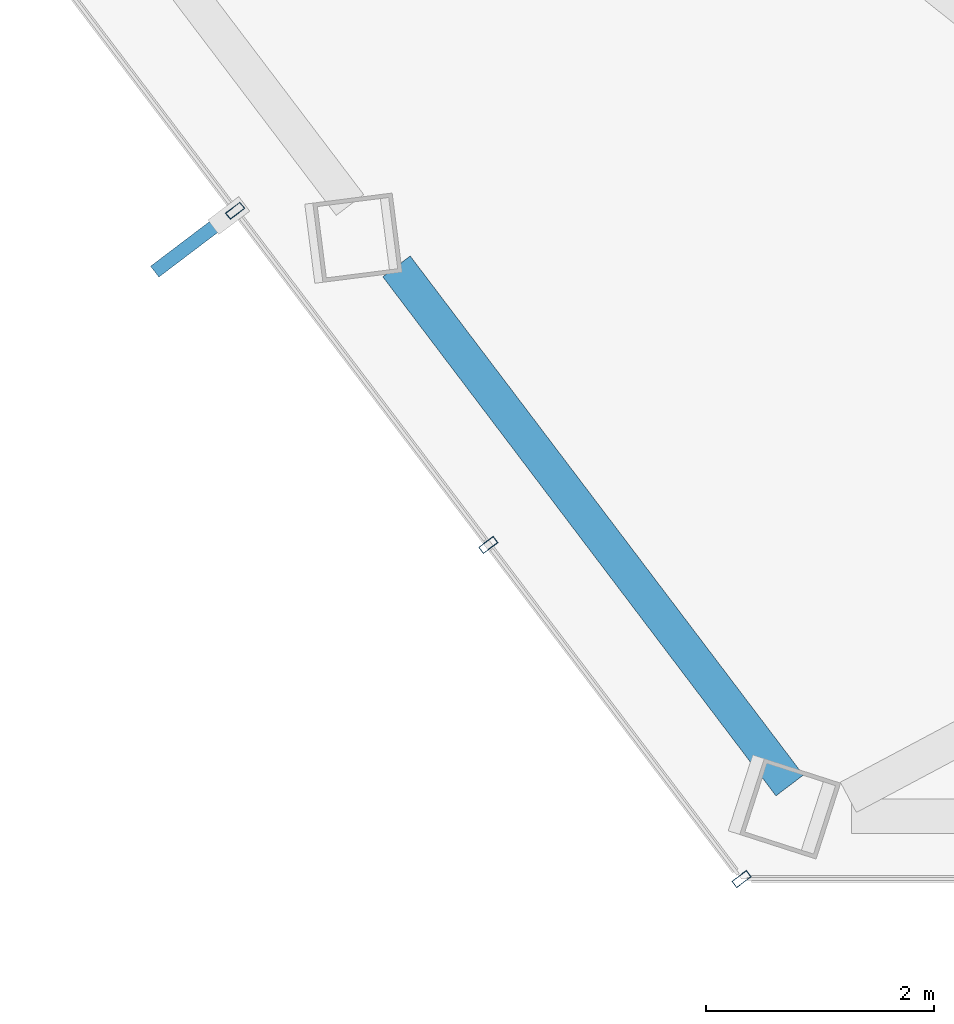
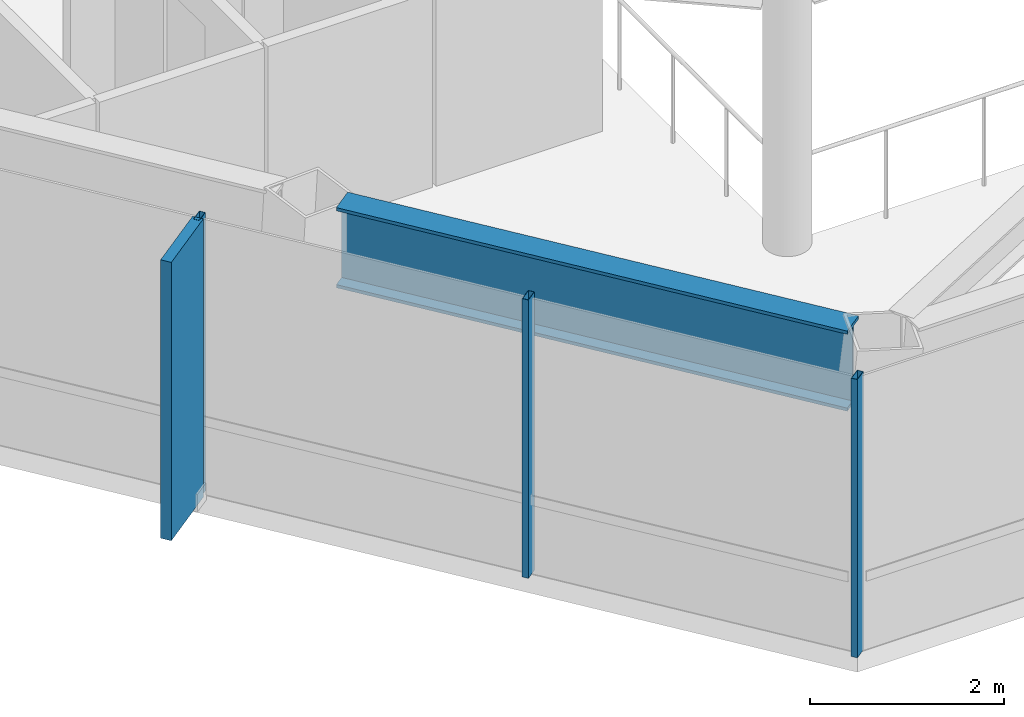
# One storey, part 2 of 27: 4 members, 1 beam, 1 element without a shape of its own.
"""IFC4 building model written with IfcOpenShell, lengths in metres."""

from ifc_helpers import new_model, si_unit, direction, frame, origin, origin_2d, place, context, subcontext, project, spatial, rectangle, hollow_rectangle, i_section, extrude, material, layer, layer_set, material_profile, profile_set, type_object, element, aggregate, save


model = new_model("IFC4")

# Units and contexts
model_context = context("Model", 3, precision=1e-05, world=origin(), true_north=direction((0.0, 1.0)))
body_context = subcontext(model_context, "Body", "Model", "MODEL_VIEW")
ifc_project = project(units=[si_unit("LENGTHUNIT", "METRE"), si_unit("AREAUNIT", "SQUARE_METRE"), si_unit("VOLUMEUNIT", "CUBIC_METRE"), si_unit("PLANEANGLEUNIT", "RADIAN"), si_unit("MASSUNIT", "GRAM", prefix="KILO")], contexts=[model_context])

# Site, building, storey
site_placement = place(None, origin())
site = spatial("IfcSite", under=ifc_project, at=site_placement, CompositionType="ELEMENT")
building_placement = place(site_placement, origin())
building = spatial("IfcBuilding", under=site, at=building_placement, Name="Zarrinselat Tower", CompositionType="ELEMENT")
storey_placement = place(building_placement, frame((0.0, 0.0, 172.0400390625)))
storey = spatial("IfcBuildingStorey", under=building, at=storey_placement, Name="L42", CompositionType="ELEMENT", Elevation=172.0400390625)

# Beam
ifc_material_1 = material(Name="Steel S460M", Category="steel")
ifc_material_profile_1 = material_profile(ifc_material_1, i_section(OverallWidth=0.302001953125, OverallDepth=1.008056640625, WebThickness=0.02099609375, FlangeThickness=0.0400390625, at=origin_2d()), Name="HEM 1000")
ifc_profile_set_1 = profile_set([ifc_material_profile_1], Name="Steel S460M")
beam_type = type_object("IfcBeamType", Name="BM-HEM1000", PredefinedType="BEAM", material=ifc_profile_set_1)
beam_placement = place(storey_placement, frame((27.71142578125, 23.027587890625, 2.995849609375), z_axis=(0.603829707697, -0.797113344577, 0.0), x_axis=(0.797113344577, 0.603829707697, 0.0)))
element("IfcBeam", 1, at=beam_placement, inside=storey, type_object=beam_type, Name="L42 Perimeter Spandrel Girder SP09", PredefinedType="BEAM", context=body_context, shape_type="SweptSolid", body=[
    extrude(i_section(OverallWidth=0.302001953125, OverallDepth=1.008056640625, WebThickness=0.02099609375, FlangeThickness=0.0400390625, at=origin_2d()), origin(), (0.0, 0.0, 1.0), 5.7119140625),
])

# Curtain wall, members
ifc_material_2 = material(Name="Extruded Aluminium Alloy EN AW-6063 T6", Category="aluminium")
ifc_layer = layer(ifc_material_2, 0.175048828125)
ifc_layer_set = layer_set([ifc_layer], Name="Extruded Aluminium Alloy EN AW-6063 T6")
curtain_wall_type = type_object("IfcCurtainWallType", Name="CWS-HTL", PredefinedType="NOTDEFINED", material=ifc_layer_set)
curtain_wall_placement = place(storey_placement, origin())
curtain_wall = element("IfcCurtainWall", 2, at=curtain_wall_placement, inside=storey, type_object=curtain_wall_type, Name="L42 Unitised Curtain Wall CW-L42-E03", PredefinedType="NOTDEFINED")
ifc_material_3 = material(Name="Extruded Aluminium Alloy EN AW-6063 T6", Category="aluminium")
ifc_material_profile_2 = material_profile(ifc_material_3, hollow_rectangle(XDim=0.070068359375, YDim=0.159912109375, WallThickness=0.00390625, at=origin_2d()), Name="RHS 160x70x4")
ifc_profile_set_2 = profile_set([ifc_material_profile_2], Name="Extruded Aluminium Alloy EN AW-6063 T6")
member_type_1 = type_object("IfcMemberType", Name="MEM-CW-MUL2", PredefinedType="MULLION", material=ifc_profile_set_2)
member_1_placement = place(storey_placement, frame((26.29638671875, 23.515380859375, 0.0), z_axis=(0.0, 0.0, 1.0), x_axis=(0.603857987184, -0.797091921496, 0.0)))
member_1 = element("IfcMember", 3, at=member_1_placement, type_object=member_type_1, Name="CW-L42-E03 Mullion 5", PredefinedType="MULLION", context=body_context, shape_type="SweptSolid", body=[
    extrude(hollow_rectangle(XDim=0.070068359375, YDim=0.159912109375, WallThickness=0.00390625, at=origin_2d()), origin(), (0.0, 0.0, 1.0), 3.5),
])
member_2_placement = place(storey_placement, frame((28.51708984375, 20.58447265625, 0.0), z_axis=(0.0, 0.0, 1.0), x_axis=(0.603857987184, -0.797091921496, 0.0)))
member_2 = element("IfcMember", 4, at=member_2_placement, type_object=member_type_1, Name="CW-L42-E03 Mullion 6", PredefinedType="MULLION", context=body_context, shape_type="SweptSolid", body=[
    extrude(hollow_rectangle(XDim=0.070068359375, YDim=0.159912109375, WallThickness=0.00390625, at=origin_2d()), origin(), (0.0, 0.0, 1.0), 3.5),
])
member_3_placement = place(storey_placement, frame((30.737548828125, 17.6533203125, 0.0), z_axis=(0.0, 0.0, 1.0), x_axis=(0.603857987184, -0.797091921496, 0.0)))
member_3 = element("IfcMember", 5, at=member_3_placement, type_object=member_type_1, Name="CW-L42-E03 Mullion 7", PredefinedType="MULLION", context=body_context, shape_type="SweptSolid", body=[
    extrude(hollow_rectangle(XDim=0.070068359375, YDim=0.159912109375, WallThickness=0.00390625, at=origin_2d()), origin(), (0.0, 0.0, 1.0), 3.5),
])
ifc_material_4 = material(Name="Honed Cream Travertine Stone", Category="masonry")
ifc_material_profile_3 = material_profile(ifc_material_4, rectangle(XDim=0.1201171875, YDim=0.85009765625, at=origin_2d()), Name="FIN 850x120")
ifc_profile_set_3 = profile_set([ifc_material_profile_3], Name="Honed Cream Travertine Stone")
member_type_2 = type_object("IfcMemberType", Name="MEM-STONE-FIN", PredefinedType="USERDEFINED", material=ifc_profile_set_3)
member_4_placement = place(storey_placement, frame((25.9296875, 23.23779296875, 0.0), z_axis=(0.0, 0.0, 1.0), x_axis=(-0.603857987184, 0.797091921496, 0.0)))
member_4 = element("IfcMember", 6, at=member_4_placement, type_object=member_type_2, Name="L42 Stone Shading Fin CW-L42-E03-05", ObjectType="FIN", PredefinedType="USERDEFINED", context=body_context, shape_type="SweptSolid", body=[
    extrude(rectangle(XDim=0.1201171875, YDim=0.85009765625, at=origin_2d()), origin(), (0.0, 0.0, 1.0), 3.5),
])
aggregate(curtain_wall, [member_1, member_4, member_2, member_3])

save(model, "model.ifc")
